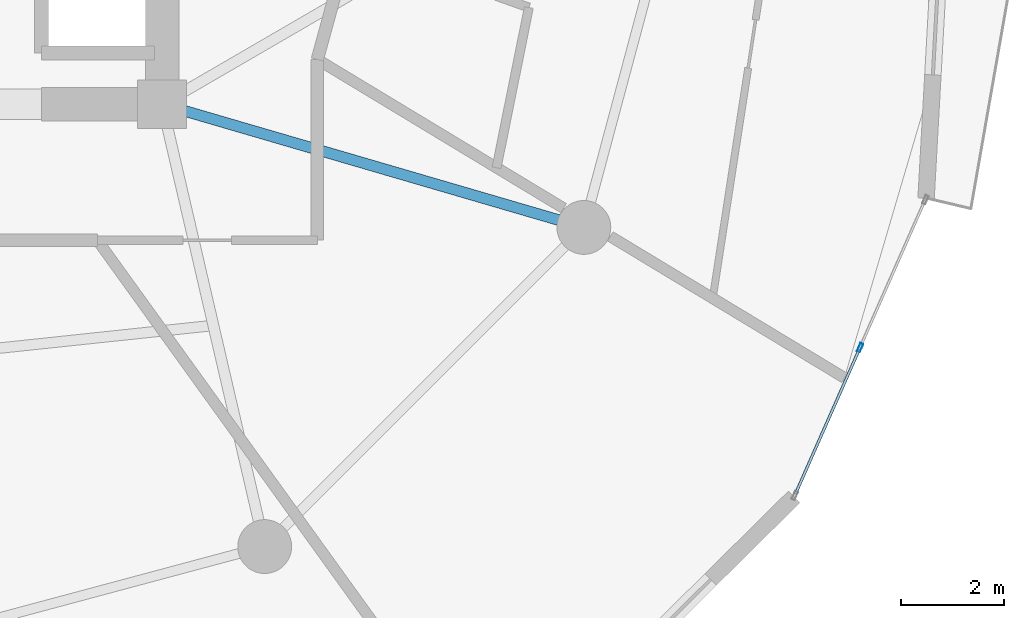
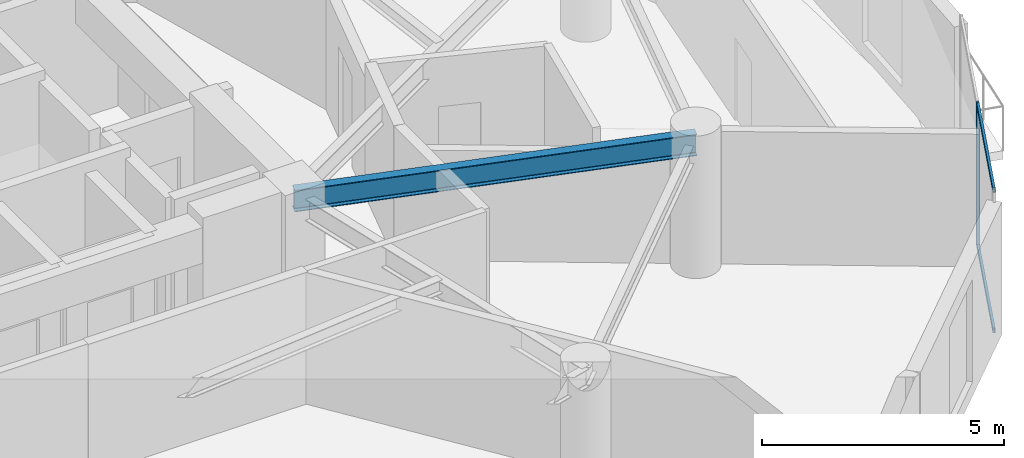
# One storey, part 10 of 25: 3 members, 1 beam, 1 element without a shape of its own.
"""IFC4 building model written with IfcOpenShell, lengths in metres."""

from ifc_helpers import new_model, si_unit, direction, frame, origin, origin_2d, place, context, subcontext, project, spatial, hollow_rectangle, i_section, extrude, source, transform, mapped, material, layer, layer_set, material_profile, profile_set, type_object, element, aggregate, save


model = new_model("IFC4")

# Units and contexts
model_context = context("Model", 3, precision=1e-05, world=origin(), true_north=direction((0.0, 1.0)))
body_context = subcontext(model_context, "Body", "Model", "MODEL_VIEW")
ifc_project = project(units=[si_unit("LENGTHUNIT", "METRE"), si_unit("AREAUNIT", "SQUARE_METRE"), si_unit("VOLUMEUNIT", "CUBIC_METRE"), si_unit("PLANEANGLEUNIT", "RADIAN"), si_unit("MASSUNIT", "GRAM", prefix="KILO")], contexts=[model_context])

# Site, building, storey
site_placement = place(None, origin())
site = spatial("IfcSite", under=ifc_project, at=site_placement, CompositionType="ELEMENT")
building_placement = place(site_placement, origin())
building = spatial("IfcBuilding", under=site, at=building_placement, Name="Solvirekh Grand Hotel", CompositionType="ELEMENT")
storey_placement = place(building_placement, frame((0.0, 0.0, 117.0)))
storey = spatial("IfcBuildingStorey", under=building, at=storey_placement, Name="L29", CompositionType="ELEMENT", Elevation=117.0)

# Beam
ifc_material_1 = material(Name="Steel S355", Category="steel")
ifc_material_profile_1 = material_profile(ifc_material_1, i_section(OverallWidth=0.2119140625, OverallDepth=0.5439453125, WebThickness=0.011962890625, FlangeThickness=0.01904296875, FilletRadius=0.013916015625, at=origin_2d()), Name="W530X123")
ifc_profile_set_1 = profile_set([ifc_material_profile_1], Name="Steel S355")
beam_type = type_object("IfcBeamType", Name="Beam_Radial_W530H", PredefinedType="BEAM", material=ifc_profile_set_1)
beam_placement = place(storey_placement, frame((6.5, -6.10009765625, 3.077880859375), z_axis=(0.959942195467, -0.28019811092, 0.0), x_axis=(0.28019811092, 0.959942195467, 0.0)))
element("IfcBeam", 1, at=beam_placement, inside=storey, type_object=beam_type, Name="L29 radial floor beam R12", PredefinedType="BEAM", context=body_context, shape_type="SweptSolid", body=[
    extrude(i_section(OverallWidth=0.2119140625, OverallDepth=0.5439453125, WebThickness=0.011962890625, FlangeThickness=0.01904296875, FilletRadius=0.013916015625, at=origin_2d()), origin(), (0.0, 0.0, 1.0), 8.56494140625),
])

# Curtain wall, members
ifc_material_2 = material(Name="Anodized Bronze Aluminium 6063-T6", Category="aluminium")
ifc_layer = layer(ifc_material_2, 0.175048828125)
ifc_layer_set = layer_set([ifc_layer], Name="Anodized Bronze Aluminium 6063-T6")
curtain_wall_type = type_object("IfcCurtainWallType", Name="CW_Sys3_MidZoneFlushBronzeCW", PredefinedType="NOTDEFINED", material=ifc_layer_set)
curtain_wall_placement = place(storey_placement, origin())
curtain_wall = element("IfcCurtainWall", 2, at=curtain_wall_placement, inside=storey, type_object=curtain_wall_type, Name="L29 unitised bronze-glass curtain wall CW-L29-C01", PredefinedType="NOTDEFINED")
ifc_material_profile_2 = material_profile(ifc_material_2, hollow_rectangle(XDim=0.06494140625, YDim=0.175048828125, WallThickness=0.0048828125, at=origin_2d()), Name="ALU RHS 175X65X5")
ifc_profile_set_2 = profile_set([ifc_material_profile_2], Name="Anodized Bronze Aluminium 6063-T6")
member_type_1 = type_object("IfcMemberType", Name="CWMullion_Sys3", PredefinedType="MULLION", material=ifc_profile_set_2)
shared_shape_1 = source(origin(), body_context, "Body", "SweptSolid", [
    extrude(hollow_rectangle(XDim=0.06494140625, YDim=0.175048828125, WallThickness=0.0048828125, at=origin_2d()), origin(), (0.0, 0.0, 1.0), 3.60009765625),
])
member_1_placement = place(storey_placement, frame((20.10693359375, -10.843017578125, 0.0), z_axis=(0.0, 0.0, 1.0), x_axis=(-0.914818852712, 0.403864416262, 0.0)))
member_1 = element("IfcMember", 3, at=member_1_placement, type_object=member_type_1, Name="U03 mullion 2", PredefinedType="MULLION", context=body_context, shape_type="MappedRepresentation", body=[
    mapped(shared_shape_1, transform((0.0, 0.0, 0.0), x_axis=(1.0, 0.0, 0.0), y_axis=(0.0, 1.0, 0.0), z_axis=(0.0, 0.0, 1.0), scale=1.0)),
])
ifc_material_profile_3 = material_profile(ifc_material_2, hollow_rectangle(XDim=0.054931640625, YDim=0.1201171875, WallThickness=0.00390625, at=origin_2d()), Name="ALU RHS 120X55X4")
ifc_profile_set_3 = profile_set([ifc_material_profile_3], Name="Anodized Bronze Aluminium 6063-T6")
member_type_2 = type_object("IfcMemberType", Name="CWTransom_Sys3", PredefinedType="USERDEFINED", material=ifc_profile_set_3)
shared_shape_2 = source(origin(), body_context, "Body", "SweptSolid", [
    extrude(hollow_rectangle(XDim=0.054931640625, YDim=0.1201171875, WallThickness=0.00390625, at=origin_2d()), origin(), (0.0, 0.0, 1.0), 3.086669921875),
])
member_2_placement = place(storey_placement, frame((18.84716796875, -13.696533203125, 0.027587890625), z_axis=(0.403928380903, 0.914790611616, 0.0), x_axis=(-0.914790611616, 0.403928380903, 0.0)))
member_2 = element("IfcMember", 4, at=member_2_placement, type_object=member_type_2, Name="U03 transom 1.1", ObjectType="TRANSOM", PredefinedType="USERDEFINED", context=body_context, shape_type="MappedRepresentation", body=[
    mapped(shared_shape_2, transform((0.0, 0.0, 0.0), x_axis=(1.0, 0.0, 0.0), y_axis=(0.0, 1.0, 0.0), z_axis=(0.0, 0.0, 1.0), scale=1.0)),
])
member_3_placement = place(storey_placement, frame((18.84716796875, -13.696533203125, 3.572509765625), z_axis=(0.403928380903, 0.914790611616, 0.0), x_axis=(-0.914790611616, 0.403928380903, 0.0)))
member_3 = element("IfcMember", 5, at=member_3_placement, type_object=member_type_2, Name="U03 transom 1.2", ObjectType="TRANSOM", PredefinedType="USERDEFINED", context=body_context, shape_type="MappedRepresentation", body=[
    mapped(shared_shape_2, transform((0.0, 0.0, 0.0), x_axis=(1.0, 0.0, 0.0), y_axis=(0.0, 1.0, 0.0), z_axis=(0.0, 0.0, 1.0), scale=1.0)),
])
aggregate(curtain_wall, [member_1, member_2, member_3])

save(model, "model.ifc")
